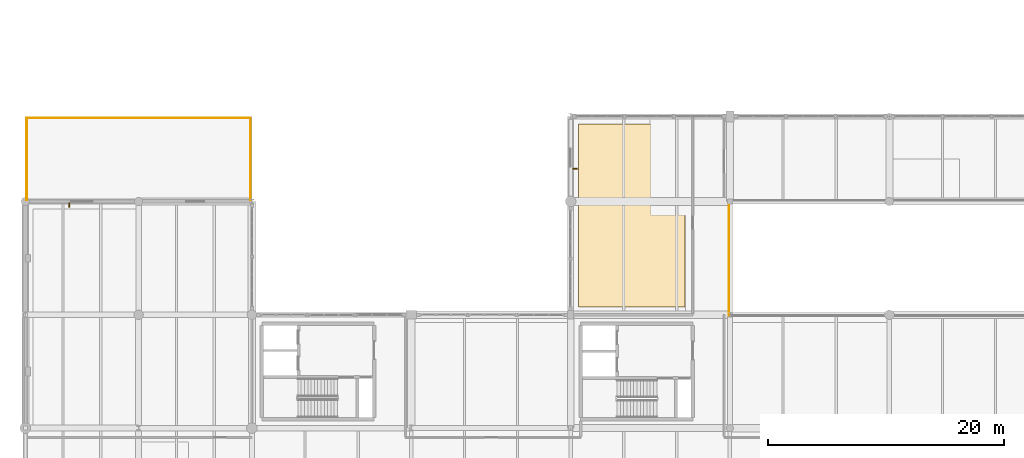
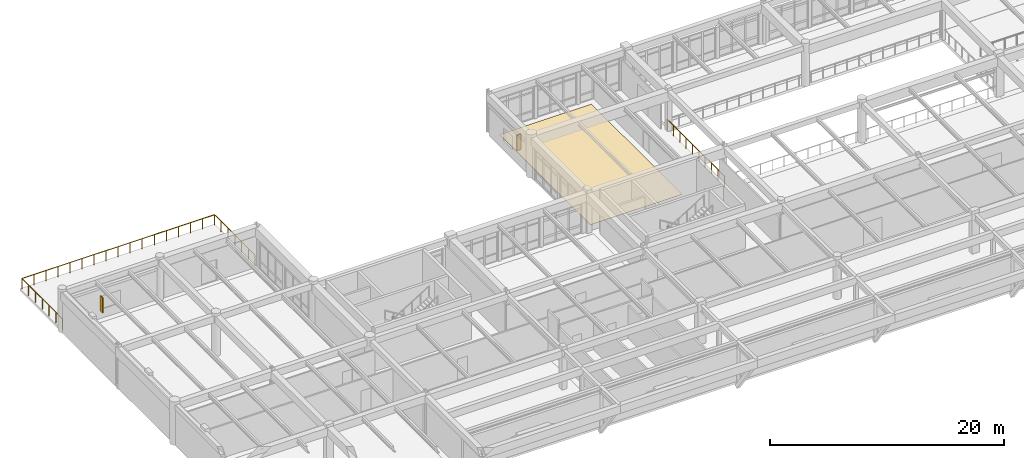
# One storey, part 74 of 80: 4 railings, 2 shading devices, 1 covering.
"""IFC4 building model written with IfcOpenShell, lengths in metres."""

from ifc_helpers import new_model, si_unit, direction, frame, origin, origin_2d, place, context, subcontext, project, spatial, polyline, rectangle, circle, outline, extrude, material, layer, layer_set, type_object, element, save


model = new_model("IFC4")

# Units and contexts
model_context = context("Model", 3, precision=1e-05, world=origin(), true_north=direction((0.0, 1.0)))
body_context = subcontext(model_context, "Body", "Model", "MODEL_VIEW")
ifc_project = project(units=[si_unit("LENGTHUNIT", "METRE"), si_unit("AREAUNIT", "SQUARE_METRE"), si_unit("VOLUMEUNIT", "CUBIC_METRE"), si_unit("PLANEANGLEUNIT", "RADIAN"), si_unit("MASSUNIT", "GRAM", prefix="KILO")], contexts=[model_context])

# Site, building, storey
site_placement = place(None, origin())
site = spatial("IfcSite", under=ifc_project, at=site_placement, CompositionType="ELEMENT")
building_placement = place(site_placement, origin())
building = spatial("IfcBuilding", under=site, at=building_placement, Name="Fikremerkos Civic Library", CompositionType="ELEMENT")
storey_placement = place(building_placement, frame((0.0, 0.0, 9.89990234375)))
storey = spatial("IfcBuildingStorey", under=building, at=storey_placement, Name="L02", CompositionType="ELEMENT", Elevation=9.89990234375)

# Railing
ifc_material_1 = material(Name="Painted Steel S275", Category="steel")
railing_type_1 = type_object("IfcRailingType", Name="Interior balustrade guard RLG-INT 1100", PredefinedType="BALUSTRADE", material=ifc_material_1)
railing_1_placement = place(storey_placement, frame((59.6201171875, 31.1201171875, 0.0)))
element("IfcRailing", 1, at=railing_1_placement, inside=storey, type_object=railing_type_1, Name="Atrium void balustrade guard L02 W", PredefinedType="BALUSTRADE", context=body_context, shape_type="SweptSolid", body=[
    extrude(circle(Radius=0.02392578125, at=origin_2d()), frame((0.0, 0.0, 1.076171875), z_axis=(0.0, 1.0, 0.0), x_axis=(-1.0, 0.0, 0.0)), (0.0, 0.0, 1.0), 9.759765625),
    extrude(circle(Radius=0.02099609375, at=origin_2d()), origin(), (0.0, 0.0, 1.0), 1.052001953125),
    extrude(circle(Radius=0.02099609375, at=origin_2d()), frame((0.0, 1.08447265625, 0.0)), (0.0, 0.0, 1.0), 1.052001953125),
    extrude(circle(Radius=0.02099609375, at=origin_2d()), frame((0.0, 2.1689453125, 0.0)), (0.0, 0.0, 1.0), 1.052001953125),
    extrude(circle(Radius=0.02099609375, at=origin_2d()), frame((0.0, 3.253173828125, 0.0)), (0.0, 0.0, 1.0), 1.052001953125),
    extrude(circle(Radius=0.02099609375, at=origin_2d()), frame((0.0, 4.337646484375, 0.0)), (0.0, 0.0, 1.0), 1.052001953125),
    extrude(circle(Radius=0.02099609375, at=origin_2d()), frame((0.0, 5.422119140625, 0.0)), (0.0, 0.0, 1.0), 1.052001953125),
    extrude(circle(Radius=0.02099609375, at=origin_2d()), frame((0.0, 6.506591796875, 0.0)), (0.0, 0.0, 1.0), 1.052001953125),
    extrude(circle(Radius=0.02099609375, at=origin_2d()), frame((0.0, 7.5908203125, 0.0)), (0.0, 0.0, 1.0), 1.052001953125),
    extrude(circle(Radius=0.02099609375, at=origin_2d()), frame((0.0, 8.67529296875, 0.0)), (0.0, 0.0, 1.0), 1.052001953125),
    extrude(circle(Radius=0.02099609375, at=origin_2d()), frame((0.0, 9.759765625, 0.0)), (0.0, 0.0, 1.0), 1.052001953125),
])

# Shading devices
ifc_material_2 = material(Name="Bronze anodized aluminium", Category="aluminium")
shading_device_type = type_object("IfcShadingDeviceType", Name="Perforated bronze vertical solar fin SHD-02", PredefinedType="USERDEFINED", material=ifc_material_2)
for number, where, z_axis, x_axis, name in (
    (2, (3.719970703125, 40.489990234375, 0.824951171875), (0.0, 0.0, 1.0), (1.0, 0.0, 0.0), "Vertical bronze solar fin SHD-02 L02 #39"),
    (3, (46.56005859375, 43.570068359375, 0.824951171875), (0.0, 0.0, 1.0), (0.0, 1.0, 0.0), "Vertical bronze solar fin SHD-02 L02 #40"),
):
    element("IfcShadingDevice", number, at=place(storey_placement, frame(where, z_axis=z_axis, x_axis=x_axis)), inside=storey, type_object=shading_device_type, Name=name, ObjectType="SOLAR FIN", PredefinedType="USERDEFINED", context=body_context, shape_type="SweptSolid", body=[
        extrude(rectangle(XDim=0.080078125, YDim=0.39990234375, at=origin_2d()), origin(), (0.0, 0.0, 1.0), 1.60009765625),
    ])

# Covering
ifc_material_3 = material(Name="Polished basalt terrazzo", Category="masonry")
ifc_layer = layer(ifc_material_3, 0.030029296875, Name="Polished basalt terrazzo")
ifc_layer_set = layer_set([ifc_layer], Name="Polished basalt terrazzo")
covering_type = type_object("IfcCoveringType", Name="Polished basalt terrazzo flooring FLR-01", PredefinedType="FLOORING", material=ifc_layer_set)
covering_placement = place(storey_placement, origin())
element("IfcCovering", 4, at=covering_placement, inside=storey, type_object=covering_type, Name="Terrazzo floor finish Seminar Room 2", PredefinedType="FLOORING", context=body_context, shape_type="SweptSolid", body=[
    extrude(outline(polyline([(46.85009765625, 47.35009765625), (55.89990234375, 47.35009765625), (55.89990234375, 31.85009765625), (46.85009765625, 31.85009765625), (46.85009765625, 47.35009765625)])), origin(), (0.0, 0.0, 1.0), 0.030029296875),
])

# Railings
railing_type_2 = type_object("IfcRailingType", Name="Terrace balustrade guard RLG-EXT 1100", PredefinedType="BALUSTRADE", material=ifc_material_1)
railing_2_placement = place(storey_placement, frame((0.1201171875, 40.919921875, 0.0)))
element("IfcRailing", 5, at=railing_2_placement, inside=storey, type_object=railing_type_2, Name="Terrace balustrade guard L02-TERR-01 west", PredefinedType="BALUSTRADE", context=body_context, shape_type="SweptSolid", body=[
    extrude(circle(Radius=0.02392578125, at=origin_2d()), frame((0.0, 0.0, 1.076171875), z_axis=(0.0, 1.0, 0.0), x_axis=(-1.0, 0.0, 0.0)), (0.0, 0.0, 1.0), 6.9599609375),
    extrude(circle(Radius=0.02099609375, at=origin_2d()), origin(), (0.0, 0.0, 1.0), 1.052001953125),
    extrude(circle(Radius=0.02099609375, at=origin_2d()), frame((0.0, 1.159912109375, 0.0)), (0.0, 0.0, 1.0), 1.052001953125),
    extrude(circle(Radius=0.02099609375, at=origin_2d()), frame((0.0, 2.320068359375, 0.0)), (0.0, 0.0, 1.0), 1.052001953125),
    extrude(circle(Radius=0.02099609375, at=origin_2d()), frame((0.0, 3.47998046875, 0.0)), (0.0, 0.0, 1.0), 1.052001953125),
    extrude(circle(Radius=0.02099609375, at=origin_2d()), frame((0.0, 4.639892578125, 0.0)), (0.0, 0.0, 1.0), 1.052001953125),
    extrude(circle(Radius=0.02099609375, at=origin_2d()), frame((0.0, 5.800048828125, 0.0)), (0.0, 0.0, 1.0), 1.052001953125),
    extrude(circle(Radius=0.02099609375, at=origin_2d()), frame((0.0, 6.9599609375, 0.0)), (0.0, 0.0, 1.0), 1.052001953125),
])
railing_3_placement = place(storey_placement, frame((0.1201171875, 47.8798828125, 0.0)))
element("IfcRailing", 6, at=railing_3_placement, inside=storey, type_object=railing_type_2, Name="Terrace balustrade guard L02-TERR-01 north", PredefinedType="BALUSTRADE", context=body_context, shape_type="SweptSolid", body=[
    extrude(circle(Radius=0.02392578125, at=origin_2d()), frame((0.0, 0.0, 1.076171875), z_axis=(1.0, 0.0, 0.0), x_axis=(0.0, 1.0, 0.0)), (0.0, 0.0, 1.0), 18.9599609375),
    extrude(circle(Radius=0.02099609375, at=origin_2d()), origin(), (0.0, 0.0, 1.0), 1.052001953125),
    extrude(circle(Radius=0.02099609375, at=origin_2d()), frame((1.18505859375, 0.0, 0.0)), (0.0, 0.0, 1.0), 1.052001953125),
    extrude(circle(Radius=0.02099609375, at=origin_2d()), frame((2.3701171875, 0.0, 0.0)), (0.0, 0.0, 1.0), 1.052001953125),
    extrude(circle(Radius=0.02099609375, at=origin_2d()), frame((3.554931640625, 0.0, 0.0)), (0.0, 0.0, 1.0), 1.052001953125),
    extrude(circle(Radius=0.02099609375, at=origin_2d()), frame((4.739990234375, 0.0, 0.0)), (0.0, 0.0, 1.0), 1.052001953125),
    extrude(circle(Radius=0.02099609375, at=origin_2d()), frame((5.925048828125, 0.0, 0.0)), (0.0, 0.0, 1.0), 1.052001953125),
    extrude(circle(Radius=0.02099609375, at=origin_2d()), frame((7.10986328125, 0.0, 0.0)), (0.0, 0.0, 1.0), 1.052001953125),
    extrude(circle(Radius=0.02099609375, at=origin_2d()), frame((8.294921875, 0.0, 0.0)), (0.0, 0.0, 1.0), 1.052001953125),
    extrude(circle(Radius=0.02099609375, at=origin_2d()), frame((9.47998046875, 0.0, 0.0)), (0.0, 0.0, 1.0), 1.052001953125),
    extrude(circle(Radius=0.02099609375, at=origin_2d()), frame((10.6650390625, 0.0, 0.0)), (0.0, 0.0, 1.0), 1.052001953125),
    extrude(circle(Radius=0.02099609375, at=origin_2d()), frame((11.85009765625, 0.0, 0.0)), (0.0, 0.0, 1.0), 1.052001953125),
    extrude(circle(Radius=0.02099609375, at=origin_2d()), frame((13.034912109375, 0.0, 0.0)), (0.0, 0.0, 1.0), 1.052001953125),
    extrude(circle(Radius=0.02099609375, at=origin_2d()), frame((14.219970703125, 0.0, 0.0)), (0.0, 0.0, 1.0), 1.052001953125),
    extrude(circle(Radius=0.02099609375, at=origin_2d()), frame((15.405029296875, 0.0, 0.0)), (0.0, 0.0, 1.0), 1.052001953125),
    extrude(circle(Radius=0.02099609375, at=origin_2d()), frame((16.58984375, 0.0, 0.0)), (0.0, 0.0, 1.0), 1.052001953125),
    extrude(circle(Radius=0.02099609375, at=origin_2d()), frame((17.77490234375, 0.0, 0.0)), (0.0, 0.0, 1.0), 1.052001953125),
    extrude(circle(Radius=0.02099609375, at=origin_2d()), frame((18.9599609375, 0.0, 0.0)), (0.0, 0.0, 1.0), 1.052001953125),
])
railing_4_placement = place(storey_placement, frame((19.080078125, 40.919921875, 0.0)))
element("IfcRailing", 7, at=railing_4_placement, inside=storey, type_object=railing_type_2, Name="Terrace balustrade guard L02-TERR-01 east", PredefinedType="BALUSTRADE", context=body_context, shape_type="SweptSolid", body=[
    extrude(circle(Radius=0.02392578125, at=origin_2d()), frame((0.0, 0.0, 1.076171875), z_axis=(0.0, 1.0, 0.0), x_axis=(-1.0, 0.0, 0.0)), (0.0, 0.0, 1.0), 6.9599609375),
    extrude(circle(Radius=0.02099609375, at=origin_2d()), origin(), (0.0, 0.0, 1.0), 1.052001953125),
    extrude(circle(Radius=0.02099609375, at=origin_2d()), frame((0.0, 1.159912109375, 0.0)), (0.0, 0.0, 1.0), 1.052001953125),
    extrude(circle(Radius=0.02099609375, at=origin_2d()), frame((0.0, 2.320068359375, 0.0)), (0.0, 0.0, 1.0), 1.052001953125),
    extrude(circle(Radius=0.02099609375, at=origin_2d()), frame((0.0, 3.47998046875, 0.0)), (0.0, 0.0, 1.0), 1.052001953125),
    extrude(circle(Radius=0.02099609375, at=origin_2d()), frame((0.0, 4.639892578125, 0.0)), (0.0, 0.0, 1.0), 1.052001953125),
    extrude(circle(Radius=0.02099609375, at=origin_2d()), frame((0.0, 5.800048828125, 0.0)), (0.0, 0.0, 1.0), 1.052001953125),
    extrude(circle(Radius=0.02099609375, at=origin_2d()), frame((0.0, 6.9599609375, 0.0)), (0.0, 0.0, 1.0), 1.052001953125),
])

save(model, "model.ifc")
